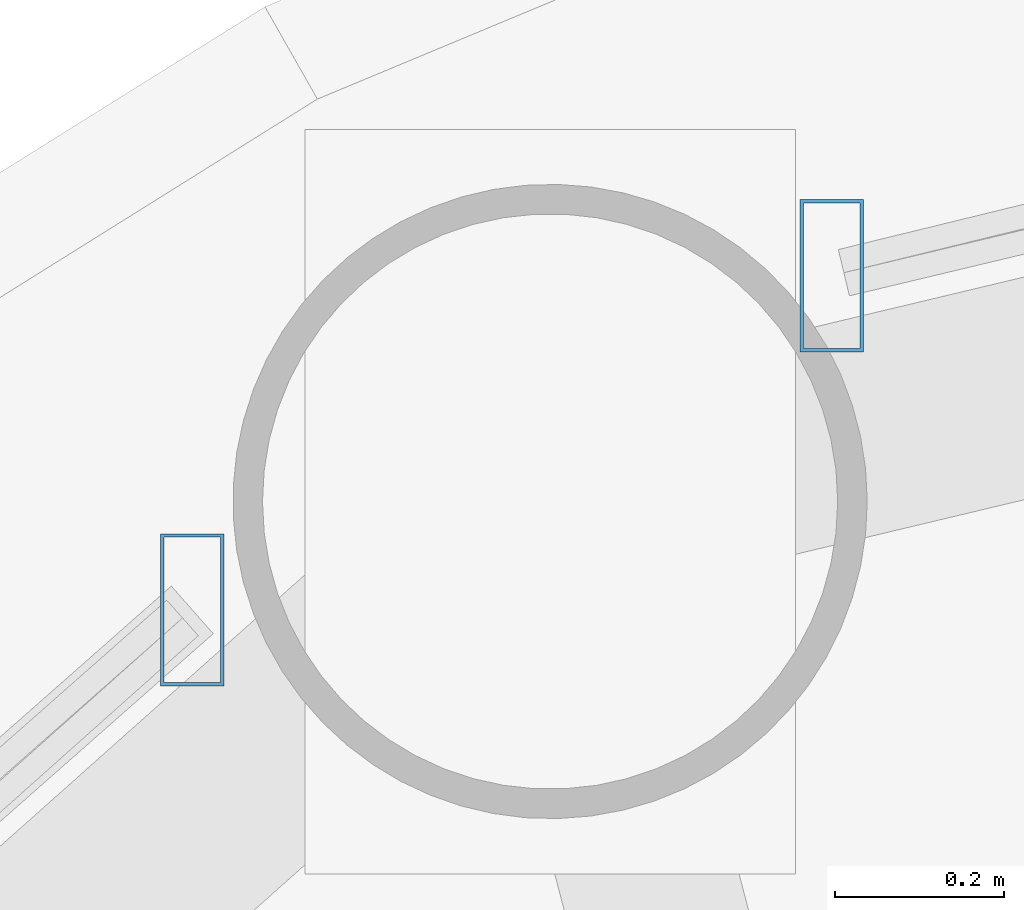
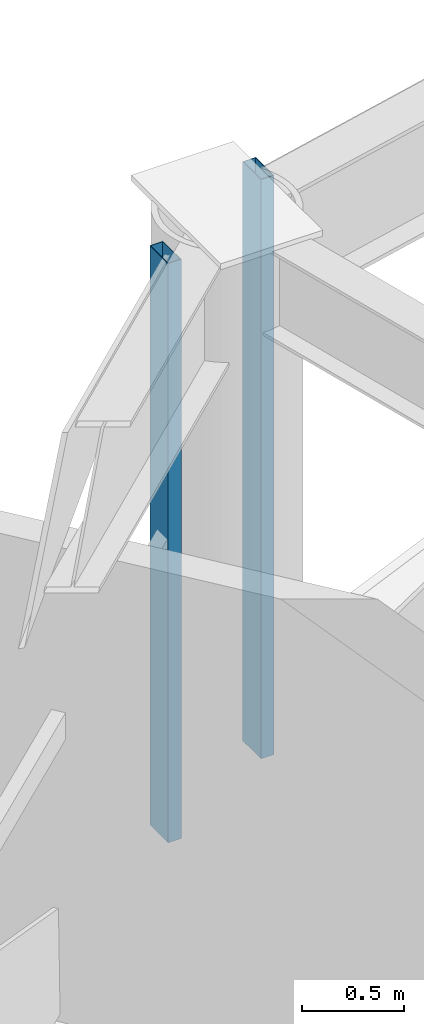
# One storey, part 16 of 32: 2 members, 2 elements without a shape of their own.
"""IFC4 building model written with IfcOpenShell, lengths in metres."""

from ifc_helpers import new_model, si_unit, direction, frame, origin, origin_2d, place, context, subcontext, project, spatial, hollow_rectangle, extrude, material, layer, layer_set, material_profile, profile_set, type_object, element, aggregate, save


model = new_model("IFC4")

# Units and contexts
model_context = context("Model", 3, precision=1e-05, world=origin(), true_north=direction((0.0, 1.0)))
body_context = subcontext(model_context, "Body", "Model", "MODEL_VIEW")
ifc_project = project(units=[si_unit("LENGTHUNIT", "METRE"), si_unit("AREAUNIT", "SQUARE_METRE"), si_unit("VOLUMEUNIT", "CUBIC_METRE"), si_unit("PLANEANGLEUNIT", "RADIAN"), si_unit("MASSUNIT", "GRAM", prefix="KILO")], contexts=[model_context])

# Site, building, storey
site_placement = place(None, origin())
site = spatial("IfcSite", under=ifc_project, at=site_placement, CompositionType="ELEMENT")
building_placement = place(site_placement, origin())
building = spatial("IfcBuilding", under=site, at=building_placement, Name="Vantalir Tower", CompositionType="ELEMENT")
storey_placement = place(building_placement, frame((0.0, 0.0, 108.449951171875)))
storey = spatial("IfcBuildingStorey", under=building, at=storey_placement, Name="L26", CompositionType="ELEMENT", Elevation=108.449951171875)

# Curtain wall, member
ifc_material_1 = material(Name="Champagne-silver PVDF aluminium and double-silver Low-E glass", Category="aluminium")
ifc_layer = layer(ifc_material_1, 0.199951171875)
ifc_layer_set = layer_set([ifc_layer], Name="Champagne-silver PVDF aluminium and double-silver Low-E glass")
curtain_wall_type = type_object("IfcCurtainWallType", Name="CW-DIAMOND-Z2", PredefinedType="USERDEFINED", material=ifc_layer_set)
curtain_wall_1_placement = place(storey_placement, origin())
curtain_wall_1 = element("IfcCurtainWall", 1, at=curtain_wall_1_placement, inside=storey, type_object=curtain_wall_type, Name="L26 Quilted Pyramid-Diamond Curtain Wall S04", ObjectType="UNITISED CURTAIN WALL", PredefinedType="USERDEFINED")
ifc_material_2 = material(Name="Champagne-silver PVDF aluminium 6063-T6", Category="aluminium")
ifc_material_profile = material_profile(ifc_material_2, hollow_rectangle(XDim=0.074951171875, YDim=0.179931640625, WallThickness=0.00390625, at=origin_2d()), Name="Champagne-silver PVDF aluminium 6063-T6")
ifc_profile_set = profile_set([ifc_material_profile], Name="Champagne-silver PVDF aluminium 6063-T6")
member_type = type_object("IfcMemberType", Name="CWM-180x75", PredefinedType="MULLION", material=ifc_profile_set)
member_1_placement = place(storey_placement, frame((19.0390625, 45.001953125, 0.045166015625), z_axis=(0.0, 0.0, 1.0), x_axis=(1.0, 0.0, 0.0)))
member_1 = element("IfcMember", 2, at=member_1_placement, type_object=member_type, Name="CW-L26-S04 Mullion 2", PredefinedType="MULLION", context=body_context, shape_type="SweptSolid", body=[
    extrude(hollow_rectangle(XDim=0.074951171875, YDim=0.179931640625, WallThickness=0.00390625, at=origin_2d()), origin(), (0.0, 0.0, 1.0), 3.47998046875),
])
aggregate(curtain_wall_1, [member_1])

curtain_wall_2_placement = place(storey_placement, origin())
curtain_wall_2 = element("IfcCurtainWall", 3, at=curtain_wall_2_placement, inside=storey, type_object=curtain_wall_type, Name="L26 Quilted Pyramid-Diamond Curtain Wall S05", ObjectType="UNITISED CURTAIN WALL", PredefinedType="USERDEFINED")
member_2_placement = place(storey_placement, frame((18.282958984375, 44.60693359375, 0.045166015625), z_axis=(0.0, 0.0, 1.0), x_axis=(1.0, 0.0, 0.0)))
member_2 = element("IfcMember", 4, at=member_2_placement, type_object=member_type, Name="CW-L26-S05 Mullion 1", PredefinedType="MULLION", context=body_context, shape_type="SweptSolid", body=[
    extrude(hollow_rectangle(XDim=0.074951171875, YDim=0.179931640625, WallThickness=0.00390625, at=origin_2d()), origin(), (0.0, 0.0, 1.0), 3.47998046875),
])
aggregate(curtain_wall_2, [member_2])

save(model, "model.ifc")
